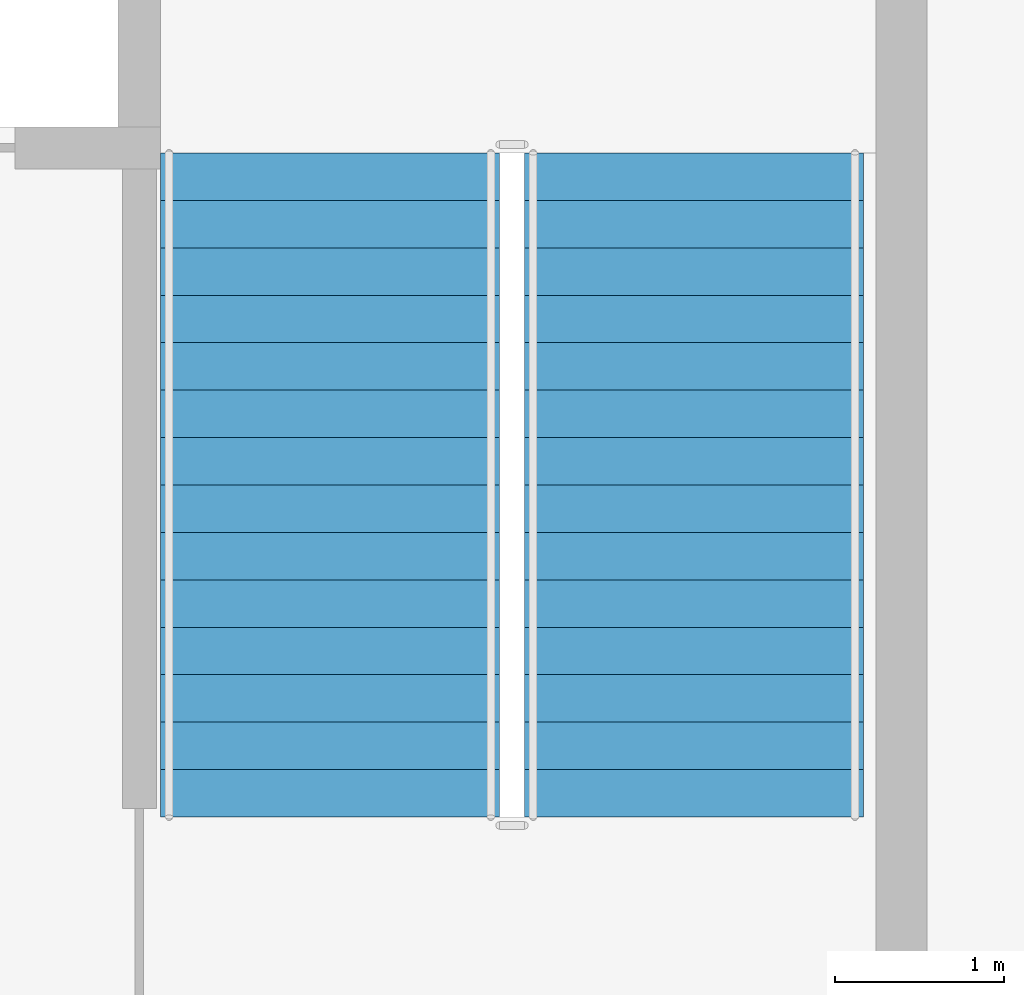
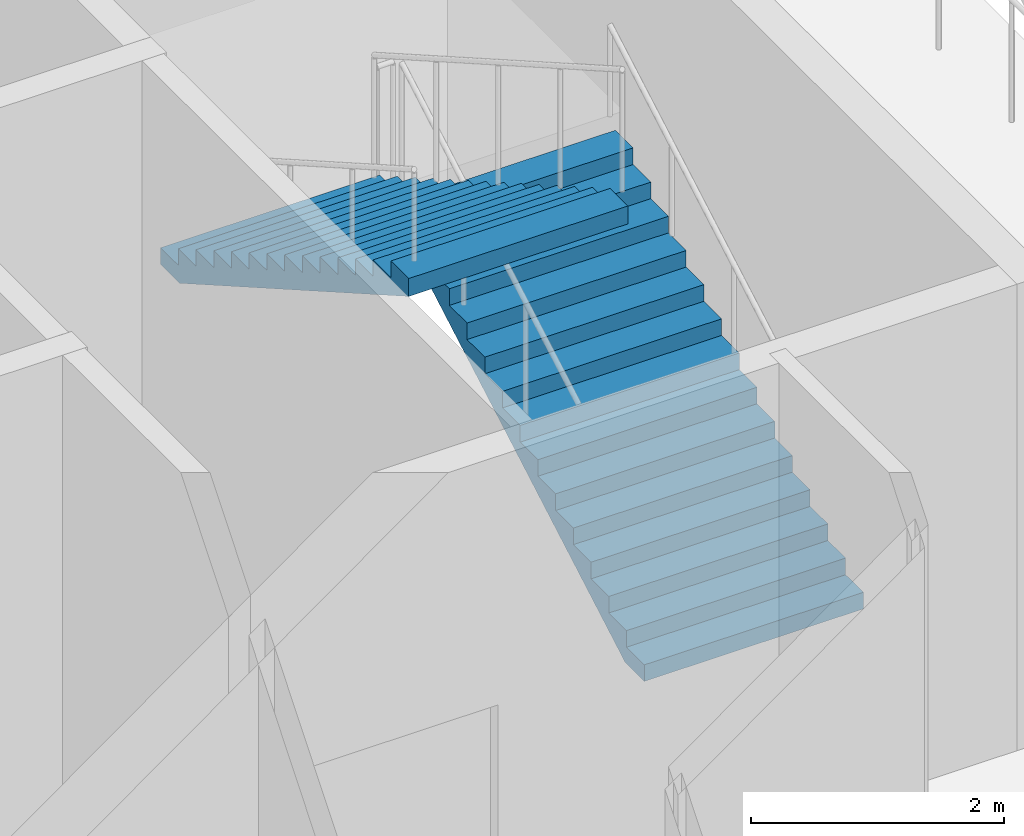
# One storey, part 5 of 9: 2 stair flights, 1 element without a shape of its own.
"""IFC4 building model written with IfcOpenShell, lengths in metres."""

from ifc_helpers import new_model, si_unit, direction, frame, origin, place, context, subcontext, project, spatial, polygons, material, type_object, element, aggregate, save


model = new_model("IFC4")

# Units and contexts
model_context = context("Model", 3, precision=1e-05, world=origin(), true_north=direction((0.0, 1.0)))
body_context = subcontext(model_context, "Body", "Model", "MODEL_VIEW")
ifc_project = project(units=[si_unit("LENGTHUNIT", "METRE"), si_unit("AREAUNIT", "SQUARE_METRE"), si_unit("VOLUMEUNIT", "CUBIC_METRE"), si_unit("PLANEANGLEUNIT", "RADIAN"), si_unit("MASSUNIT", "GRAM", prefix="KILO")], contexts=[model_context])

# Site, building, storey
site_placement = place(None, origin())
site = spatial("IfcSite", under=ifc_project, at=site_placement, CompositionType="ELEMENT")
building_placement = place(site_placement, origin())
building = spatial("IfcBuilding", under=site, at=building_placement, Name="Caravel Reach Hotel and Residences", CompositionType="ELEMENT")
storey_placement = place(building_placement, frame((0.0, 0.0, 278.60009765625)))
storey = spatial("IfcBuildingStorey", under=building, at=storey_placement, Name="L71", CompositionType="ELEMENT", Elevation=278.60009765625)

# Stair, stair flights
ifc_material_1 = material(Name="Concrete C40", Category="concrete")
stair_type = type_object("IfcStairType", Name="Core stair", PredefinedType="HALF_TURN_STAIR", material=ifc_material_1)
stair_placement = place(storey_placement, origin())
stair = element("IfcStair", 1, at=stair_placement, inside=storey, type_object=stair_type, Name="L71 Exit stair B", PredefinedType="HALF_TURN_STAIR")
ifc_material_2 = material(Name="Concrete C40", Category="concrete")
stair_flight_type = type_object("IfcStairFlightType", Name="Core stair flight", PredefinedType="STRAIGHT", material=ifc_material_2)
stair_flight_1_placement = place(storey_placement, frame((43.77490234375, 24.64990234375, 0.0), z_axis=(0.0, 0.0, 1.0), x_axis=(0.0, 1.0, 0.0)))
stair_flight_1 = element("IfcStairFlight", 2, at=stair_flight_1_placement, type_object=stair_flight_type, Name="ST-B flight 1", NumberOfRisers=15, NumberOfTreads=14, PredefinedType="STRAIGHT", RiserHeight=0.16, TreadLength=0.28, context=body_context, shape_type="Tessellation", body=[
    polygons([(0.30213783309663755, 1.0, 0.0), (0.30213783309663755, 0.6666666666666667, 0.0), (0.30213783309663755, 0.33333333333333337, 0.0), (0.30213783309663755, 0.0, 0.0), (0.30213783309663755, -0.33333333333333326, 0.0), (0.30213783309663755, -0.6666666666666667, 0.0), (0.30213783309663755, -1.0, 0.0), (3.9210000000000003, 1.0, 2.0673498096590643), (3.9210000000000003, 0.6666666666666667, 2.0673498096590643), (3.9210000000000003, 0.33333333333333337, 2.0673498096590643), (3.9210000000000003, 0.0, 2.0673498096590643), (3.9210000000000003, -0.33333333333333326, 2.0673498096590643), (3.9210000000000003, -0.6666666666666667, 2.0673498096590643), (3.9210000000000003, -1.0, 2.0673498096590643), (3.9210000000000003, 1.0, 2.24), (3.9210000000000003, 0.6666666666666667, 2.24), (3.9210000000000003, 0.33333333333333337, 2.24), (3.9210000000000003, 0.0, 2.24), (3.9210000000000003, -0.33333333333333326, 2.24), (3.9210000000000003, -0.6666666666666667, 2.24), (3.9210000000000003, -1.0, 2.24), (3.6400000000000006, 1.0, 2.24), (3.6400000000000006, 0.6666666666666667, 2.24), (3.6400000000000006, 0.33333333333333337, 2.24), (3.6400000000000006, 0.0, 2.24), (3.6400000000000006, -0.33333333333333326, 2.24), (3.6400000000000006, -0.6666666666666667, 2.24), (3.6400000000000006, -1.0, 2.24), (3.6400000000000006, 1.0, 2.08), (3.6400000000000006, 0.6666666666666667, 2.08), (3.6400000000000006, 0.33333333333333337, 2.08), (3.6400000000000006, 0.0, 2.08), (3.6400000000000006, -0.33333333333333326, 2.08), (3.6400000000000006, -0.6666666666666667, 2.08), (3.6400000000000006, -1.0, 2.08), (3.3600000000000003, 1.0, 2.08), (3.3600000000000003, 0.6666666666666667, 2.08), (3.3600000000000003, 0.33333333333333337, 2.08), (3.3600000000000003, 0.0, 2.08), (3.3600000000000003, -0.33333333333333326, 2.08), (3.3600000000000003, -0.6666666666666667, 2.08), (3.3600000000000003, -1.0, 2.08), (3.3600000000000003, 1.0, 1.92), (3.3600000000000003, 0.6666666666666667, 1.92), (3.3600000000000003, 0.33333333333333337, 1.92), (3.3600000000000003, 0.0, 1.92), (3.3600000000000003, -0.33333333333333326, 1.92), (3.3600000000000003, -0.6666666666666667, 1.92), (3.3600000000000003, -1.0, 1.92), (3.08, 1.0, 1.92), (3.08, 0.6666666666666667, 1.92), (3.08, 0.33333333333333337, 1.92), (3.08, 0.0, 1.92), (3.08, -0.33333333333333326, 1.92), (3.08, -0.6666666666666667, 1.92), (3.08, -1.0, 1.92), (3.08, 1.0, 1.76), (3.08, 0.6666666666666667, 1.76), (3.08, 0.33333333333333337, 1.76), (3.08, 0.0, 1.76), (3.08, -0.33333333333333326, 1.76), (3.08, -0.6666666666666667, 1.76), (3.08, -1.0, 1.76), (2.8000000000000003, 1.0, 1.76), (2.8000000000000003, 0.6666666666666667, 1.76), (2.8000000000000003, 0.33333333333333337, 1.76), (2.8000000000000003, 0.0, 1.76), (2.8000000000000003, -0.33333333333333326, 1.76), (2.8000000000000003, -0.6666666666666667, 1.76), (2.8000000000000003, -1.0, 1.76), (2.8000000000000003, 1.0, 1.6), (2.8000000000000003, 0.6666666666666667, 1.6), (2.8000000000000003, 0.33333333333333337, 1.6), (2.8000000000000003, 0.0, 1.6), (2.8000000000000003, -0.33333333333333326, 1.6), (2.8000000000000003, -0.6666666666666667, 1.6), (2.8000000000000003, -1.0, 1.6), (2.5200000000000005, 1.0, 1.6), (2.5200000000000005, 0.6666666666666667, 1.6), (2.5200000000000005, 0.33333333333333337, 1.6), (2.5200000000000005, 0.0, 1.6), (2.5200000000000005, -0.33333333333333326, 1.6), (2.5200000000000005, -0.6666666666666667, 1.6), (2.5200000000000005, -1.0, 1.6), (2.5200000000000005, 1.0, 1.44), (2.5200000000000005, 0.6666666666666667, 1.44), (2.5200000000000005, 0.33333333333333337, 1.44), (2.5200000000000005, 0.0, 1.44), (2.5200000000000005, -0.33333333333333326, 1.44), (2.5200000000000005, -0.6666666666666667, 1.44), (2.5200000000000005, -1.0, 1.44), (2.24, 1.0, 1.44), (2.24, 0.6666666666666667, 1.44), (2.24, 0.33333333333333337, 1.44), (2.24, 0.0, 1.44), (2.24, -0.33333333333333326, 1.44), (2.24, -0.6666666666666667, 1.44), (2.24, -1.0, 1.44), (2.24, 1.0, 1.28), (2.24, 0.6666666666666667, 1.28), (2.24, 0.33333333333333337, 1.28), (2.24, 0.0, 1.28), (2.24, -0.33333333333333326, 1.28), (2.24, -0.6666666666666667, 1.28), (2.24, -1.0, 1.28), (1.9600000000000002, 1.0, 1.28), (1.9600000000000002, 0.6666666666666667, 1.28), (1.9600000000000002, 0.33333333333333337, 1.28), (1.9600000000000002, 0.0, 1.28), (1.9600000000000002, -0.33333333333333326, 1.28), (1.9600000000000002, -0.6666666666666667, 1.28), (1.9600000000000002, -1.0, 1.28), (1.9600000000000002, 1.0, 1.12), (1.9600000000000002, 0.6666666666666667, 1.12), (1.9600000000000002, 0.33333333333333337, 1.12), (1.9600000000000002, 0.0, 1.12), (1.9600000000000002, -0.33333333333333326, 1.12), (1.9600000000000002, -0.6666666666666667, 1.12), (1.9600000000000002, -1.0, 1.12), (1.6800000000000002, 1.0, 1.12), (1.6800000000000002, 0.6666666666666667, 1.12), (1.6800000000000002, 0.33333333333333337, 1.12), (1.6800000000000002, 0.0, 1.12), (1.6800000000000002, -0.33333333333333326, 1.12), (1.6800000000000002, -0.6666666666666667, 1.12), (1.6800000000000002, -1.0, 1.12), (1.6800000000000002, 1.0, 0.96), (1.6800000000000002, 0.6666666666666667, 0.96), (1.6800000000000002, 0.33333333333333337, 0.96), (1.6800000000000002, 0.0, 0.96), (1.6800000000000002, -0.33333333333333326, 0.96), (1.6800000000000002, -0.6666666666666667, 0.96), (1.6800000000000002, -1.0, 0.96), (1.4000000000000001, 1.0, 0.96), (1.4000000000000001, 0.6666666666666667, 0.96), (1.4000000000000001, 0.33333333333333337, 0.96), (1.4000000000000001, 0.0, 0.96), (1.4000000000000001, -0.33333333333333326, 0.96), (1.4000000000000001, -0.6666666666666667, 0.96), (1.4000000000000001, -1.0, 0.96), (1.4000000000000001, 1.0, 0.8), (1.4000000000000001, 0.6666666666666667, 0.8), (1.4000000000000001, 0.33333333333333337, 0.8), (1.4000000000000001, 0.0, 0.8), (1.4000000000000001, -0.33333333333333326, 0.8), (1.4000000000000001, -0.6666666666666667, 0.8), (1.4000000000000001, -1.0, 0.8), (1.12, 1.0, 0.8), (1.12, 0.6666666666666667, 0.8), (1.12, 0.33333333333333337, 0.8), (1.12, 0.0, 0.8), (1.12, -0.33333333333333326, 0.8), (1.12, -0.6666666666666667, 0.8), (1.12, -1.0, 0.8), (1.12, 1.0, 0.64), (1.12, 0.6666666666666667, 0.64), (1.12, 0.33333333333333337, 0.64), (1.12, 0.0, 0.64), (1.12, -0.33333333333333326, 0.64), (1.12, -0.6666666666666667, 0.64), (1.12, -1.0, 0.64), (0.8400000000000001, 1.0, 0.64), (0.8400000000000001, 0.6666666666666667, 0.64), (0.8400000000000001, 0.33333333333333337, 0.64), (0.8400000000000001, 0.0, 0.64), (0.8400000000000001, -0.33333333333333326, 0.64), (0.8400000000000001, -0.6666666666666667, 0.64), (0.8400000000000001, -1.0, 0.64), (0.8400000000000001, 1.0, 0.48), (0.8400000000000001, 0.6666666666666667, 0.48), (0.8400000000000001, 0.33333333333333337, 0.48), (0.8400000000000001, 0.0, 0.48), (0.8400000000000001, -0.33333333333333326, 0.48), (0.8400000000000001, -0.6666666666666667, 0.48), (0.8400000000000001, -1.0, 0.48), (0.56, 1.0, 0.48), (0.56, 0.6666666666666667, 0.48), (0.56, 0.33333333333333337, 0.48), (0.56, 0.0, 0.48), (0.56, -0.33333333333333326, 0.48), (0.56, -0.6666666666666667, 0.48), (0.56, -1.0, 0.48), (0.56, 1.0, 0.32), (0.56, 0.6666666666666667, 0.32), (0.56, 0.33333333333333337, 0.32), (0.56, 0.0, 0.32), (0.56, -0.33333333333333326, 0.32), (0.56, -0.6666666666666667, 0.32), (0.56, -1.0, 0.32), (0.28, 1.0, 0.32), (0.28, 0.6666666666666667, 0.32), (0.28, 0.33333333333333337, 0.32), (0.28, 0.0, 0.32), (0.28, -0.33333333333333326, 0.32), (0.28, -0.6666666666666667, 0.32), (0.28, -1.0, 0.32), (0.28, 1.0, 0.16), (0.28, 0.6666666666666667, 0.16), (0.28, 0.33333333333333337, 0.16), (0.28, 0.0, 0.16), (0.28, -0.33333333333333326, 0.16), (0.28, -0.6666666666666667, 0.16), (0.28, -1.0, 0.16), (-0.001, 1.0, 0.16), (-0.001, 0.6666666666666667, 0.16), (-0.001, 0.33333333333333337, 0.16), (-0.001, 0.0, 0.16), (-0.001, -0.33333333333333326, 0.16), (-0.001, -0.6666666666666667, 0.16), (-0.001, -1.0, 0.16), (-0.001, 1.0, 0.0), (-0.001, 0.6666666666666667, 0.0), (-0.001, 0.33333333333333337, 0.0), (-0.001, 0.0, 0.0), (-0.001, -0.33333333333333326, 0.0), (-0.001, -0.6666666666666667, 0.0), (-0.001, -1.0, 0.0)], [[[211, 204, 197, 190, 183, 176, 169, 162, 155, 148, 141, 134, 127, 120, 113, 106, 99, 92, 85, 78, 71, 64, 57, 50, 43, 36, 29, 22, 15, 8, 1]], [[7, 14, 21, 28, 35, 42, 49, 56, 63, 70, 77, 84, 91, 98, 105, 112, 119, 126, 133, 140, 147, 154, 161, 168, 175, 182, 189, 196, 203, 210, 217]], [[1, 8, 9, 2]], [[2, 9, 10, 3]], [[3, 10, 11, 4]], [[4, 11, 12, 5]], [[5, 12, 13, 6]], [[6, 13, 14, 7]], [[8, 15, 16, 9]], [[9, 16, 17, 10]], [[10, 17, 18, 11]], [[11, 18, 19, 12]], [[12, 19, 20, 13]], [[13, 20, 21, 14]], [[15, 22, 23, 16]], [[16, 23, 24, 17]], [[17, 24, 25, 18]], [[18, 25, 26, 19]], [[19, 26, 27, 20]], [[20, 27, 28, 21]], [[22, 29, 30, 23]], [[23, 30, 31, 24]], [[24, 31, 32, 25]], [[25, 32, 33, 26]], [[26, 33, 34, 27]], [[27, 34, 35, 28]], [[29, 36, 37, 30]], [[30, 37, 38, 31]], [[31, 38, 39, 32]], [[32, 39, 40, 33]], [[33, 40, 41, 34]], [[34, 41, 42, 35]], [[36, 43, 44, 37]], [[37, 44, 45, 38]], [[38, 45, 46, 39]], [[39, 46, 47, 40]], [[40, 47, 48, 41]], [[41, 48, 49, 42]], [[43, 50, 51, 44]], [[44, 51, 52, 45]], [[45, 52, 53, 46]], [[46, 53, 54, 47]], [[47, 54, 55, 48]], [[48, 55, 56, 49]], [[50, 57, 58, 51]], [[51, 58, 59, 52]], [[52, 59, 60, 53]], [[53, 60, 61, 54]], [[54, 61, 62, 55]], [[55, 62, 63, 56]], [[57, 64, 65, 58]], [[58, 65, 66, 59]], [[59, 66, 67, 60]], [[60, 67, 68, 61]], [[61, 68, 69, 62]], [[62, 69, 70, 63]], [[64, 71, 72, 65]], [[65, 72, 73, 66]], [[66, 73, 74, 67]], [[67, 74, 75, 68]], [[68, 75, 76, 69]], [[69, 76, 77, 70]], [[71, 78, 79, 72]], [[72, 79, 80, 73]], [[73, 80, 81, 74]], [[74, 81, 82, 75]], [[75, 82, 83, 76]], [[76, 83, 84, 77]], [[78, 85, 86, 79]], [[79, 86, 87, 80]], [[80, 87, 88, 81]], [[81, 88, 89, 82]], [[82, 89, 90, 83]], [[83, 90, 91, 84]], [[85, 92, 93, 86]], [[86, 93, 94, 87]], [[87, 94, 95, 88]], [[88, 95, 96, 89]], [[89, 96, 97, 90]], [[90, 97, 98, 91]], [[92, 99, 100, 93]], [[93, 100, 101, 94]], [[94, 101, 102, 95]], [[95, 102, 103, 96]], [[96, 103, 104, 97]], [[97, 104, 105, 98]], [[99, 106, 107, 100]], [[100, 107, 108, 101]], [[101, 108, 109, 102]], [[102, 109, 110, 103]], [[103, 110, 111, 104]], [[104, 111, 112, 105]], [[106, 113, 114, 107]], [[107, 114, 115, 108]], [[108, 115, 116, 109]], [[109, 116, 117, 110]], [[110, 117, 118, 111]], [[111, 118, 119, 112]], [[113, 120, 121, 114]], [[114, 121, 122, 115]], [[115, 122, 123, 116]], [[116, 123, 124, 117]], [[117, 124, 125, 118]], [[118, 125, 126, 119]], [[120, 127, 128, 121]], [[121, 128, 129, 122]], [[122, 129, 130, 123]], [[123, 130, 131, 124]], [[124, 131, 132, 125]], [[125, 132, 133, 126]], [[127, 134, 135, 128]], [[128, 135, 136, 129]], [[129, 136, 137, 130]], [[130, 137, 138, 131]], [[131, 138, 139, 132]], [[132, 139, 140, 133]], [[134, 141, 142, 135]], [[135, 142, 143, 136]], [[136, 143, 144, 137]], [[137, 144, 145, 138]], [[138, 145, 146, 139]], [[139, 146, 147, 140]], [[141, 148, 149, 142]], [[142, 149, 150, 143]], [[143, 150, 151, 144]], [[144, 151, 152, 145]], [[145, 152, 153, 146]], [[146, 153, 154, 147]], [[148, 155, 156, 149]], [[149, 156, 157, 150]], [[150, 157, 158, 151]], [[151, 158, 159, 152]], [[152, 159, 160, 153]], [[153, 160, 161, 154]], [[155, 162, 163, 156]], [[156, 163, 164, 157]], [[157, 164, 165, 158]], [[158, 165, 166, 159]], [[159, 166, 167, 160]], [[160, 167, 168, 161]], [[162, 169, 170, 163]], [[163, 170, 171, 164]], [[164, 171, 172, 165]], [[165, 172, 173, 166]], [[166, 173, 174, 167]], [[167, 174, 175, 168]], [[169, 176, 177, 170]], [[170, 177, 178, 171]], [[171, 178, 179, 172]], [[172, 179, 180, 173]], [[173, 180, 181, 174]], [[174, 181, 182, 175]], [[176, 183, 184, 177]], [[177, 184, 185, 178]], [[178, 185, 186, 179]], [[179, 186, 187, 180]], [[180, 187, 188, 181]], [[181, 188, 189, 182]], [[183, 190, 191, 184]], [[184, 191, 192, 185]], [[185, 192, 193, 186]], [[186, 193, 194, 187]], [[187, 194, 195, 188]], [[188, 195, 196, 189]], [[190, 197, 198, 191]], [[191, 198, 199, 192]], [[192, 199, 200, 193]], [[193, 200, 201, 194]], [[194, 201, 202, 195]], [[195, 202, 203, 196]], [[197, 204, 205, 198]], [[198, 205, 206, 199]], [[199, 206, 207, 200]], [[200, 207, 208, 201]], [[201, 208, 209, 202]], [[202, 209, 210, 203]], [[204, 211, 212, 205]], [[205, 212, 213, 206]], [[206, 213, 214, 207]], [[207, 214, 215, 208]], [[208, 215, 216, 209]], [[209, 216, 217, 210]], [[211, 1, 2, 212]], [[212, 2, 3, 213]], [[213, 3, 4, 214]], [[214, 4, 5, 215]], [[215, 5, 6, 216]], [[216, 6, 7, 217]]], closed=True),
])
stair_flight_2_placement = place(storey_placement, frame((41.625, 28.570068359375, 2.39990234375), z_axis=(0.0, 0.0, 1.0), x_axis=(0.0, -1.0, 0.0)))
stair_flight_2 = element("IfcStairFlight", 3, at=stair_flight_2_placement, type_object=stair_flight_type, Name="ST-B flight 2", NumberOfRisers=15, NumberOfTreads=14, PredefinedType="STRAIGHT", RiserHeight=0.16, TreadLength=0.28, context=body_context, shape_type="Tessellation", body=[
    polygons([(0.30213783309663755, 1.0, 0.0), (0.30213783309663755, 0.6666666666666667, 0.0), (0.30213783309663755, 0.33333333333333337, 0.0), (0.30213783309663755, 0.0, 0.0), (0.30213783309663755, -0.33333333333333326, 0.0), (0.30213783309663755, -0.6666666666666667, 0.0), (0.30213783309663755, -1.0, 0.0), (3.9210000000000003, 1.0, 2.0673498096590643), (3.9210000000000003, 0.6666666666666667, 2.0673498096590643), (3.9210000000000003, 0.33333333333333337, 2.0673498096590643), (3.9210000000000003, 0.0, 2.0673498096590643), (3.9210000000000003, -0.33333333333333326, 2.0673498096590643), (3.9210000000000003, -0.6666666666666667, 2.0673498096590643), (3.9210000000000003, -1.0, 2.0673498096590643), (3.9210000000000003, 1.0, 2.24), (3.9210000000000003, 0.6666666666666667, 2.24), (3.9210000000000003, 0.33333333333333337, 2.24), (3.9210000000000003, 0.0, 2.24), (3.9210000000000003, -0.33333333333333326, 2.24), (3.9210000000000003, -0.6666666666666667, 2.24), (3.9210000000000003, -1.0, 2.24), (3.6400000000000006, 1.0, 2.24), (3.6400000000000006, 0.6666666666666667, 2.24), (3.6400000000000006, 0.33333333333333337, 2.24), (3.6400000000000006, 0.0, 2.24), (3.6400000000000006, -0.33333333333333326, 2.24), (3.6400000000000006, -0.6666666666666667, 2.24), (3.6400000000000006, -1.0, 2.24), (3.6400000000000006, 1.0, 2.08), (3.6400000000000006, 0.6666666666666667, 2.08), (3.6400000000000006, 0.33333333333333337, 2.08), (3.6400000000000006, 0.0, 2.08), (3.6400000000000006, -0.33333333333333326, 2.08), (3.6400000000000006, -0.6666666666666667, 2.08), (3.6400000000000006, -1.0, 2.08), (3.3600000000000003, 1.0, 2.08), (3.3600000000000003, 0.6666666666666667, 2.08), (3.3600000000000003, 0.33333333333333337, 2.08), (3.3600000000000003, 0.0, 2.08), (3.3600000000000003, -0.33333333333333326, 2.08), (3.3600000000000003, -0.6666666666666667, 2.08), (3.3600000000000003, -1.0, 2.08), (3.3600000000000003, 1.0, 1.92), (3.3600000000000003, 0.6666666666666667, 1.92), (3.3600000000000003, 0.33333333333333337, 1.92), (3.3600000000000003, 0.0, 1.92), (3.3600000000000003, -0.33333333333333326, 1.92), (3.3600000000000003, -0.6666666666666667, 1.92), (3.3600000000000003, -1.0, 1.92), (3.08, 1.0, 1.92), (3.08, 0.6666666666666667, 1.92), (3.08, 0.33333333333333337, 1.92), (3.08, 0.0, 1.92), (3.08, -0.33333333333333326, 1.92), (3.08, -0.6666666666666667, 1.92), (3.08, -1.0, 1.92), (3.08, 1.0, 1.76), (3.08, 0.6666666666666667, 1.76), (3.08, 0.33333333333333337, 1.76), (3.08, 0.0, 1.76), (3.08, -0.33333333333333326, 1.76), (3.08, -0.6666666666666667, 1.76), (3.08, -1.0, 1.76), (2.8000000000000003, 1.0, 1.76), (2.8000000000000003, 0.6666666666666667, 1.76), (2.8000000000000003, 0.33333333333333337, 1.76), (2.8000000000000003, 0.0, 1.76), (2.8000000000000003, -0.33333333333333326, 1.76), (2.8000000000000003, -0.6666666666666667, 1.76), (2.8000000000000003, -1.0, 1.76), (2.8000000000000003, 1.0, 1.6), (2.8000000000000003, 0.6666666666666667, 1.6), (2.8000000000000003, 0.33333333333333337, 1.6), (2.8000000000000003, 0.0, 1.6), (2.8000000000000003, -0.33333333333333326, 1.6), (2.8000000000000003, -0.6666666666666667, 1.6), (2.8000000000000003, -1.0, 1.6), (2.5200000000000005, 1.0, 1.6), (2.5200000000000005, 0.6666666666666667, 1.6), (2.5200000000000005, 0.33333333333333337, 1.6), (2.5200000000000005, 0.0, 1.6), (2.5200000000000005, -0.33333333333333326, 1.6), (2.5200000000000005, -0.6666666666666667, 1.6), (2.5200000000000005, -1.0, 1.6), (2.5200000000000005, 1.0, 1.44), (2.5200000000000005, 0.6666666666666667, 1.44), (2.5200000000000005, 0.33333333333333337, 1.44), (2.5200000000000005, 0.0, 1.44), (2.5200000000000005, -0.33333333333333326, 1.44), (2.5200000000000005, -0.6666666666666667, 1.44), (2.5200000000000005, -1.0, 1.44), (2.24, 1.0, 1.44), (2.24, 0.6666666666666667, 1.44), (2.24, 0.33333333333333337, 1.44), (2.24, 0.0, 1.44), (2.24, -0.33333333333333326, 1.44), (2.24, -0.6666666666666667, 1.44), (2.24, -1.0, 1.44), (2.24, 1.0, 1.28), (2.24, 0.6666666666666667, 1.28), (2.24, 0.33333333333333337, 1.28), (2.24, 0.0, 1.28), (2.24, -0.33333333333333326, 1.28), (2.24, -0.6666666666666667, 1.28), (2.24, -1.0, 1.28), (1.9600000000000002, 1.0, 1.28), (1.9600000000000002, 0.6666666666666667, 1.28), (1.9600000000000002, 0.33333333333333337, 1.28), (1.9600000000000002, 0.0, 1.28), (1.9600000000000002, -0.33333333333333326, 1.28), (1.9600000000000002, -0.6666666666666667, 1.28), (1.9600000000000002, -1.0, 1.28), (1.9600000000000002, 1.0, 1.12), (1.9600000000000002, 0.6666666666666667, 1.12), (1.9600000000000002, 0.33333333333333337, 1.12), (1.9600000000000002, 0.0, 1.12), (1.9600000000000002, -0.33333333333333326, 1.12), (1.9600000000000002, -0.6666666666666667, 1.12), (1.9600000000000002, -1.0, 1.12), (1.6800000000000002, 1.0, 1.12), (1.6800000000000002, 0.6666666666666667, 1.12), (1.6800000000000002, 0.33333333333333337, 1.12), (1.6800000000000002, 0.0, 1.12), (1.6800000000000002, -0.33333333333333326, 1.12), (1.6800000000000002, -0.6666666666666667, 1.12), (1.6800000000000002, -1.0, 1.12), (1.6800000000000002, 1.0, 0.96), (1.6800000000000002, 0.6666666666666667, 0.96), (1.6800000000000002, 0.33333333333333337, 0.96), (1.6800000000000002, 0.0, 0.96), (1.6800000000000002, -0.33333333333333326, 0.96), (1.6800000000000002, -0.6666666666666667, 0.96), (1.6800000000000002, -1.0, 0.96), (1.4000000000000001, 1.0, 0.96), (1.4000000000000001, 0.6666666666666667, 0.96), (1.4000000000000001, 0.33333333333333337, 0.96), (1.4000000000000001, 0.0, 0.96), (1.4000000000000001, -0.33333333333333326, 0.96), (1.4000000000000001, -0.6666666666666667, 0.96), (1.4000000000000001, -1.0, 0.96), (1.4000000000000001, 1.0, 0.8), (1.4000000000000001, 0.6666666666666667, 0.8), (1.4000000000000001, 0.33333333333333337, 0.8), (1.4000000000000001, 0.0, 0.8), (1.4000000000000001, -0.33333333333333326, 0.8), (1.4000000000000001, -0.6666666666666667, 0.8), (1.4000000000000001, -1.0, 0.8), (1.12, 1.0, 0.8), (1.12, 0.6666666666666667, 0.8), (1.12, 0.33333333333333337, 0.8), (1.12, 0.0, 0.8), (1.12, -0.33333333333333326, 0.8), (1.12, -0.6666666666666667, 0.8), (1.12, -1.0, 0.8), (1.12, 1.0, 0.64), (1.12, 0.6666666666666667, 0.64), (1.12, 0.33333333333333337, 0.64), (1.12, 0.0, 0.64), (1.12, -0.33333333333333326, 0.64), (1.12, -0.6666666666666667, 0.64), (1.12, -1.0, 0.64), (0.8400000000000001, 1.0, 0.64), (0.8400000000000001, 0.6666666666666667, 0.64), (0.8400000000000001, 0.33333333333333337, 0.64), (0.8400000000000001, 0.0, 0.64), (0.8400000000000001, -0.33333333333333326, 0.64), (0.8400000000000001, -0.6666666666666667, 0.64), (0.8400000000000001, -1.0, 0.64), (0.8400000000000001, 1.0, 0.48), (0.8400000000000001, 0.6666666666666667, 0.48), (0.8400000000000001, 0.33333333333333337, 0.48), (0.8400000000000001, 0.0, 0.48), (0.8400000000000001, -0.33333333333333326, 0.48), (0.8400000000000001, -0.6666666666666667, 0.48), (0.8400000000000001, -1.0, 0.48), (0.56, 1.0, 0.48), (0.56, 0.6666666666666667, 0.48), (0.56, 0.33333333333333337, 0.48), (0.56, 0.0, 0.48), (0.56, -0.33333333333333326, 0.48), (0.56, -0.6666666666666667, 0.48), (0.56, -1.0, 0.48), (0.56, 1.0, 0.32), (0.56, 0.6666666666666667, 0.32), (0.56, 0.33333333333333337, 0.32), (0.56, 0.0, 0.32), (0.56, -0.33333333333333326, 0.32), (0.56, -0.6666666666666667, 0.32), (0.56, -1.0, 0.32), (0.28, 1.0, 0.32), (0.28, 0.6666666666666667, 0.32), (0.28, 0.33333333333333337, 0.32), (0.28, 0.0, 0.32), (0.28, -0.33333333333333326, 0.32), (0.28, -0.6666666666666667, 0.32), (0.28, -1.0, 0.32), (0.28, 1.0, 0.16), (0.28, 0.6666666666666667, 0.16), (0.28, 0.33333333333333337, 0.16), (0.28, 0.0, 0.16), (0.28, -0.33333333333333326, 0.16), (0.28, -0.6666666666666667, 0.16), (0.28, -1.0, 0.16), (-0.001, 1.0, 0.16), (-0.001, 0.6666666666666667, 0.16), (-0.001, 0.33333333333333337, 0.16), (-0.001, 0.0, 0.16), (-0.001, -0.33333333333333326, 0.16), (-0.001, -0.6666666666666667, 0.16), (-0.001, -1.0, 0.16), (-0.001, 1.0, 0.0), (-0.001, 0.6666666666666667, 0.0), (-0.001, 0.33333333333333337, 0.0), (-0.001, 0.0, 0.0), (-0.001, -0.33333333333333326, 0.0), (-0.001, -0.6666666666666667, 0.0), (-0.001, -1.0, 0.0)], [[[211, 204, 197, 190, 183, 176, 169, 162, 155, 148, 141, 134, 127, 120, 113, 106, 99, 92, 85, 78, 71, 64, 57, 50, 43, 36, 29, 22, 15, 8, 1]], [[7, 14, 21, 28, 35, 42, 49, 56, 63, 70, 77, 84, 91, 98, 105, 112, 119, 126, 133, 140, 147, 154, 161, 168, 175, 182, 189, 196, 203, 210, 217]], [[1, 8, 9, 2]], [[2, 9, 10, 3]], [[3, 10, 11, 4]], [[4, 11, 12, 5]], [[5, 12, 13, 6]], [[6, 13, 14, 7]], [[8, 15, 16, 9]], [[9, 16, 17, 10]], [[10, 17, 18, 11]], [[11, 18, 19, 12]], [[12, 19, 20, 13]], [[13, 20, 21, 14]], [[15, 22, 23, 16]], [[16, 23, 24, 17]], [[17, 24, 25, 18]], [[18, 25, 26, 19]], [[19, 26, 27, 20]], [[20, 27, 28, 21]], [[22, 29, 30, 23]], [[23, 30, 31, 24]], [[24, 31, 32, 25]], [[25, 32, 33, 26]], [[26, 33, 34, 27]], [[27, 34, 35, 28]], [[29, 36, 37, 30]], [[30, 37, 38, 31]], [[31, 38, 39, 32]], [[32, 39, 40, 33]], [[33, 40, 41, 34]], [[34, 41, 42, 35]], [[36, 43, 44, 37]], [[37, 44, 45, 38]], [[38, 45, 46, 39]], [[39, 46, 47, 40]], [[40, 47, 48, 41]], [[41, 48, 49, 42]], [[43, 50, 51, 44]], [[44, 51, 52, 45]], [[45, 52, 53, 46]], [[46, 53, 54, 47]], [[47, 54, 55, 48]], [[48, 55, 56, 49]], [[50, 57, 58, 51]], [[51, 58, 59, 52]], [[52, 59, 60, 53]], [[53, 60, 61, 54]], [[54, 61, 62, 55]], [[55, 62, 63, 56]], [[57, 64, 65, 58]], [[58, 65, 66, 59]], [[59, 66, 67, 60]], [[60, 67, 68, 61]], [[61, 68, 69, 62]], [[62, 69, 70, 63]], [[64, 71, 72, 65]], [[65, 72, 73, 66]], [[66, 73, 74, 67]], [[67, 74, 75, 68]], [[68, 75, 76, 69]], [[69, 76, 77, 70]], [[71, 78, 79, 72]], [[72, 79, 80, 73]], [[73, 80, 81, 74]], [[74, 81, 82, 75]], [[75, 82, 83, 76]], [[76, 83, 84, 77]], [[78, 85, 86, 79]], [[79, 86, 87, 80]], [[80, 87, 88, 81]], [[81, 88, 89, 82]], [[82, 89, 90, 83]], [[83, 90, 91, 84]], [[85, 92, 93, 86]], [[86, 93, 94, 87]], [[87, 94, 95, 88]], [[88, 95, 96, 89]], [[89, 96, 97, 90]], [[90, 97, 98, 91]], [[92, 99, 100, 93]], [[93, 100, 101, 94]], [[94, 101, 102, 95]], [[95, 102, 103, 96]], [[96, 103, 104, 97]], [[97, 104, 105, 98]], [[99, 106, 107, 100]], [[100, 107, 108, 101]], [[101, 108, 109, 102]], [[102, 109, 110, 103]], [[103, 110, 111, 104]], [[104, 111, 112, 105]], [[106, 113, 114, 107]], [[107, 114, 115, 108]], [[108, 115, 116, 109]], [[109, 116, 117, 110]], [[110, 117, 118, 111]], [[111, 118, 119, 112]], [[113, 120, 121, 114]], [[114, 121, 122, 115]], [[115, 122, 123, 116]], [[116, 123, 124, 117]], [[117, 124, 125, 118]], [[118, 125, 126, 119]], [[120, 127, 128, 121]], [[121, 128, 129, 122]], [[122, 129, 130, 123]], [[123, 130, 131, 124]], [[124, 131, 132, 125]], [[125, 132, 133, 126]], [[127, 134, 135, 128]], [[128, 135, 136, 129]], [[129, 136, 137, 130]], [[130, 137, 138, 131]], [[131, 138, 139, 132]], [[132, 139, 140, 133]], [[134, 141, 142, 135]], [[135, 142, 143, 136]], [[136, 143, 144, 137]], [[137, 144, 145, 138]], [[138, 145, 146, 139]], [[139, 146, 147, 140]], [[141, 148, 149, 142]], [[142, 149, 150, 143]], [[143, 150, 151, 144]], [[144, 151, 152, 145]], [[145, 152, 153, 146]], [[146, 153, 154, 147]], [[148, 155, 156, 149]], [[149, 156, 157, 150]], [[150, 157, 158, 151]], [[151, 158, 159, 152]], [[152, 159, 160, 153]], [[153, 160, 161, 154]], [[155, 162, 163, 156]], [[156, 163, 164, 157]], [[157, 164, 165, 158]], [[158, 165, 166, 159]], [[159, 166, 167, 160]], [[160, 167, 168, 161]], [[162, 169, 170, 163]], [[163, 170, 171, 164]], [[164, 171, 172, 165]], [[165, 172, 173, 166]], [[166, 173, 174, 167]], [[167, 174, 175, 168]], [[169, 176, 177, 170]], [[170, 177, 178, 171]], [[171, 178, 179, 172]], [[172, 179, 180, 173]], [[173, 180, 181, 174]], [[174, 181, 182, 175]], [[176, 183, 184, 177]], [[177, 184, 185, 178]], [[178, 185, 186, 179]], [[179, 186, 187, 180]], [[180, 187, 188, 181]], [[181, 188, 189, 182]], [[183, 190, 191, 184]], [[184, 191, 192, 185]], [[185, 192, 193, 186]], [[186, 193, 194, 187]], [[187, 194, 195, 188]], [[188, 195, 196, 189]], [[190, 197, 198, 191]], [[191, 198, 199, 192]], [[192, 199, 200, 193]], [[193, 200, 201, 194]], [[194, 201, 202, 195]], [[195, 202, 203, 196]], [[197, 204, 205, 198]], [[198, 205, 206, 199]], [[199, 206, 207, 200]], [[200, 207, 208, 201]], [[201, 208, 209, 202]], [[202, 209, 210, 203]], [[204, 211, 212, 205]], [[205, 212, 213, 206]], [[206, 213, 214, 207]], [[207, 214, 215, 208]], [[208, 215, 216, 209]], [[209, 216, 217, 210]], [[211, 1, 2, 212]], [[212, 2, 3, 213]], [[213, 3, 4, 214]], [[214, 4, 5, 215]], [[215, 5, 6, 216]], [[216, 6, 7, 217]]], closed=True),
])
aggregate(stair, [stair_flight_1, stair_flight_2])

save(model, "model.ifc")
